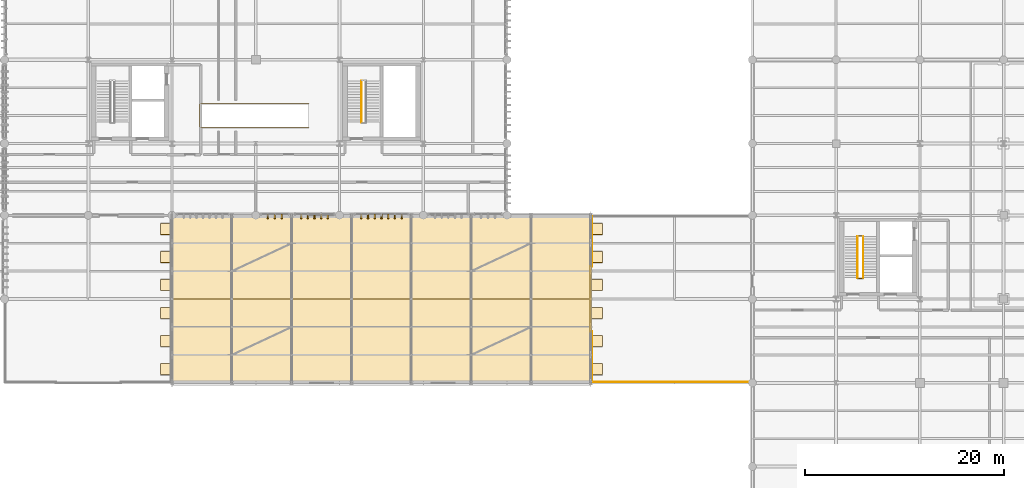
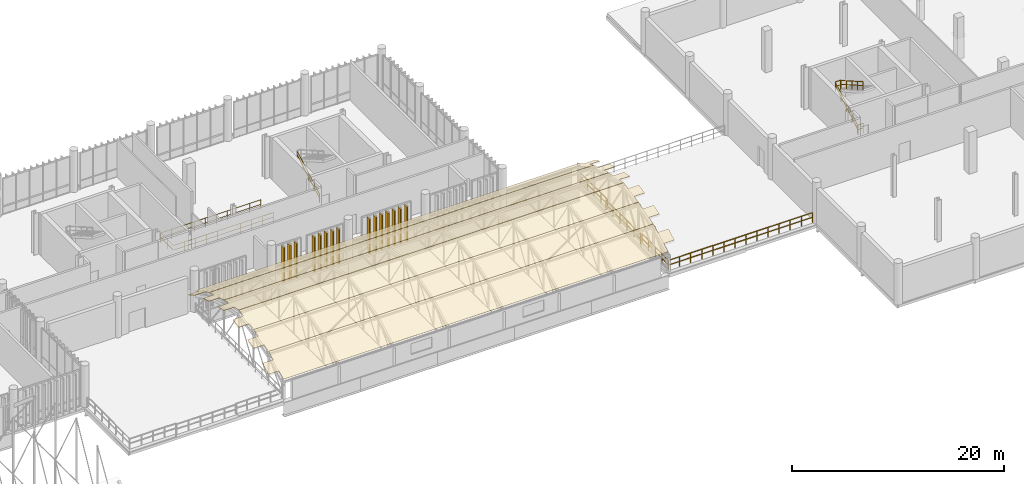
# One storey, part 103 of 109: 21 coverings, 10 railings, 1 element without a shape of its own.
"""IFC4 building model written with IfcOpenShell, lengths in metres."""

from ifc_helpers import new_model, si_unit, direction, frame, frame_2d, origin_with_axes, origin_2d_with_axis, place, context, subcontext, project, spatial, polyline, rectangle, circle, outline, extrude, material, type_object, element, aggregate, save


model = new_model("IFC4")

# Units and contexts
model_context = context("Model", 3, precision=1e-05, world=origin_with_axes(), true_north=direction((0.0, 1.0)))
body_context = subcontext(model_context, "Body", "Model", "MODEL_VIEW")
ifc_project = project(units=[si_unit("LENGTHUNIT", "METRE"), si_unit("AREAUNIT", "SQUARE_METRE"), si_unit("VOLUMEUNIT", "CUBIC_METRE"), si_unit("PLANEANGLEUNIT", "RADIAN"), si_unit("MASSUNIT", "GRAM", prefix="KILO"), si_unit("THERMODYNAMICTEMPERATUREUNIT", "KELVIN")], contexts=[model_context])

# Site, building, storey
site_placement = place(None, origin_with_axes())
site = spatial("IfcSite", under=ifc_project, at=site_placement, CompositionType="ELEMENT")
building_placement = place(site_placement, origin_with_axes())
building = spatial("IfcBuilding", under=site, at=building_placement, Name="Montbau Bow Law Courts", CompositionType="ELEMENT")
storey_placement = place(building_placement, frame((0.0, 0.0, 10.8), z_axis=(0.0, 0.0, 1.0), x_axis=(1.0, 0.0, 0.0)))
storey = spatial("IfcBuildingStorey", under=building, at=storey_placement, Name="L02", CompositionType="ELEMENT", Elevation=10.8)

# Coverings
ifc_material_1 = material(Name="Freeze-Thaw Glazed Warm Cream Ceramic Vertical Louvre", Category="masonry")
covering_type_1 = type_object("IfcCoveringType", Name="CV-LVR-CRM", PredefinedType="CLADDING", material=ifc_material_1)
for number, where, z_axis, x_axis, name in (
    (1, (73.212, 39.13, 10.8), (-1.0, 0.0, 0.0), (0.0, -1.0, 0.0), "CLV-L02-1424:cov_1469"),
    (2, (73.909, 39.13, 10.8), (-1.0, 0.0, 0.0), (0.0, -1.0, 0.0), "CLV-L02-1425:cov_1470"),
    (3, (74.606, 39.13, 10.8), (-1.0, 0.0, 0.0), (0.0, -1.0, 0.0), "CLV-L02-1426:cov_1471"),
    (4, (76.562, 39.13, 10.8), (-1.0, 0.0, 0.0), (0.0, -1.0, 0.0), "CLV-L02-1427:cov_1472"),
    (5, (77.226, 39.13, 10.8), (-1.0, 0.0, 0.0), (0.0, -1.0, 0.0), "CLV-L02-1428:cov_1473"),
    (6, (77.891, 39.13, 10.8), (-1.0, 0.0, 0.0), (0.0, -1.0, 0.0), "CLV-L02-1429:cov_1474"),
    (7, (78.556, 39.13, 10.8), (-1.0, 0.0, 0.0), (0.0, -1.0, 0.0), "CLV-L02-1430:cov_1475"),
    (8, (79.22, 39.13, 10.8), (-1.0, 0.0, 0.0), (0.0, -1.0, 0.0), "CLV-L02-1431:cov_1476"),
    (9, (82.573, 39.13, 10.8), (-1.0, 0.0, 0.0), (0.0, -1.0, 0.0), "CLV-L02-1432:cov_1477"),
    (10, (83.248, 39.13, 10.8), (-1.0, 0.0, 0.0), (0.0, -1.0, 0.0), "CLV-L02-1433:cov_1478"),
    (11, (83.924, 39.13, 10.8), (-1.0, 0.0, 0.0), (0.0, -1.0, 0.0), "CLV-L02-1434:cov_1479"),
    (12, (84.6, 39.13, 10.8), (-1.0, 0.0, 0.0), (0.0, -1.0, 0.0), "CLV-L02-1435:cov_1480"),
    (13, (85.276, 39.13, 10.8), (-1.0, 0.0, 0.0), (0.0, -1.0, 0.0), "CLV-L02-1436:cov_1481"),
    (14, (85.951, 39.13, 10.8), (-1.0, 0.0, 0.0), (0.0, -1.0, 0.0), "CLV-L02-1437:cov_1482"),
    (15, (86.627, 39.13, 10.8), (-1.0, 0.0, 0.0), (0.0, -1.0, 0.0), "CLV-L02-1438:cov_1483"),
):
    element("IfcCovering", number, at=place(None, frame(where, z_axis=z_axis, x_axis=x_axis)), inside=storey, type_object=covering_type_1, Name=name, PredefinedType="CLADDING", context=body_context, shape_type="SweptSolid", body=[
        extrude(rectangle(XDim=0.48, YDim=4.04, at=frame_2d((0.24, 2.02), x_axis=(1.0, 0.0))), frame((0.0, 0.0, -0.06), z_axis=(0.0, 0.0, 1.0), x_axis=(1.0, 0.0, 0.0)), (0.0, 0.0, 1.0), 0.12),
    ])

# Roof, coverings
ifc_material_2 = material(Name="Standing-Seam Zinc Insulated Barrel-Vault Roof", Category="steel")
roof_type = type_object("IfcRoofType", Name="RF-BV-01", PredefinedType="BARREL_ROOF", material=ifc_material_2)
roof_placement = place(None, frame((63.6, 22.2, 12.8), z_axis=(0.0, 0.0, 1.0), x_axis=(1.0, 0.0, 0.0)))
roof = element("IfcRoof", 16, at=roof_placement, inside=storey, type_object=roof_type, Name="BV-ROOF-V4:rof_0030", PredefinedType="BARREL_ROOF")
ifc_material_3 = material(Name="Standing-Seam Pre-Weathered Zinc Roofing Membrane", Category="steel")
covering_type_2 = type_object("IfcCoveringType", Name="CV-ROF-01", PredefinedType="ROOFING", material=ifc_material_3)
covering_1_placement = place(None, frame((0.0, 0.0, 1.028423), z_axis=(0.0, -0.473784701, 0.880640708), x_axis=(1.0, 0.0, 0.0)))
covering_1 = element("IfcCovering", 17, at=covering_1_placement, type_object=covering_type_2, Name="BV-CVR-V4-F1:cov_0034", PredefinedType="ROOFING", context=body_context, shape_type="SweptSolid", body=[
    extrude(outline(polyline([(63.6, 25.208919), (105.6, 25.208919), (105.6, 26.16277), (106.75, 26.16277), (106.75, 27.434571), (105.6, 27.434571), (105.6, 28.388422), (63.6, 28.388422), (63.6, 27.434571), (62.45, 27.434571), (62.45, 26.16277), (63.6, 26.16277), (63.6, 25.208919)])), origin_with_axes(), (0.0, 0.0, 1.0), 0.05),
])
covering_2_placement = place(None, frame((0.0, 0.0, 7.064456), z_axis=(0.0, -0.283827137, 0.958875464), x_axis=(1.0, 0.0, 0.0)))
covering_2 = element("IfcCovering", 18, at=covering_2_placement, type_object=covering_type_2, Name="BV-CVR-V4-F2:cov_0035", PredefinedType="ROOFING", context=body_context, shape_type="SweptSolid", body=[
    extrude(outline(polyline([(63.6, 26.072207), (105.6, 26.072207), (105.6, 26.948234), (106.75, 26.948234), (106.75, 28.116268), (105.6, 28.116268), (105.6, 28.992295), (63.6, 28.992295), (63.6, 28.116268), (62.45, 28.116268), (62.45, 26.948234), (63.6, 26.948234), (63.6, 26.072207)])), origin_with_axes(), (0.0, 0.0, 1.0), 0.05),
])
covering_3_placement = place(None, frame((0.0, 0.0, 9.869058), z_axis=(0.0, -0.191395051, 0.981513084), x_axis=(1.0, 0.0, 0.0)))
covering_3 = element("IfcCovering", 19, at=covering_3_placement, type_object=covering_type_2, Name="BV-CVR-V4-F3:cov_0036", PredefinedType="ROOFING", context=body_context, shape_type="SweptSolid", body=[
    extrude(outline(polyline([(63.6, 28.323616), (105.6, 28.323616), (105.6, 29.179438), (106.75, 29.179438), (106.75, 30.320533), (105.6, 30.320533), (105.6, 31.176355), (63.6, 31.176355), (63.6, 30.320533), (62.45, 30.320533), (62.45, 29.179438), (63.6, 29.179438), (63.6, 28.323616)])), origin_with_axes(), (0.0, 0.0, 1.0), 0.05),
])
covering_4_placement = place(None, frame((0.0, 0.0, 21.803058), z_axis=(0.0, 0.191395051, 0.981513084), x_axis=(1.0, 0.0, 0.0)))
covering_4 = element("IfcCovering", 20, at=covering_4_placement, type_object=covering_type_2, Name="BV-CVR-V4-F4:cov_0037", PredefinedType="ROOFING", context=body_context, shape_type="SweptSolid", body=[
    extrude(outline(polyline([(63.6, 31.176355), (105.6, 31.176355), (105.6, 32.032176), (106.75, 32.032176), (106.75, 33.173271), (105.6, 33.173271), (105.6, 34.029093), (63.6, 34.029093), (63.6, 33.173271), (62.45, 33.173271), (62.45, 32.032176), (63.6, 32.032176), (63.6, 31.176355)])), origin_with_axes(), (0.0, 0.0, 1.0), 0.05),
])
covering_5_placement = place(None, frame((0.0, 0.0, 25.179656), z_axis=(0.0, 0.283827137, 0.958875464), x_axis=(1.0, 0.0, 0.0)))
covering_5 = element("IfcCovering", 21, at=covering_5_placement, type_object=covering_type_2, Name="BV-CVR-V4-F5:cov_0038", PredefinedType="ROOFING", context=body_context, shape_type="SweptSolid", body=[
    extrude(outline(polyline([(63.6, 34.832469), (105.6, 34.832469), (105.6, 35.708495), (106.75, 35.708495), (106.75, 36.87653), (105.6, 36.87653), (105.6, 37.752556), (63.6, 37.752556), (63.6, 36.87653), (62.45, 36.87653), (62.45, 35.708495), (63.6, 35.708495), (63.6, 34.832469)])), origin_with_axes(), (0.0, 0.0, 1.0), 0.05),
])
covering_6_placement = place(None, frame((0.0, 0.0, 33.954023), z_axis=(0.0, 0.473784701, 0.880640708), x_axis=(1.0, 0.0, 0.0)))
covering_6 = element("IfcCovering", 22, at=covering_6_placement, type_object=covering_type_2, Name="BV-CVR-V4-F6:cov_0039", PredefinedType="ROOFING", context=body_context, shape_type="SweptSolid", body=[
    extrude(outline(polyline([(63.6, 41.106435), (105.6, 41.106435), (105.6, 42.060286), (106.75, 42.060286), (106.75, 43.332087), (105.6, 43.332087), (105.6, 44.285938), (63.6, 44.285938), (63.6, 43.332087), (62.45, 43.332087), (62.45, 42.060286), (63.6, 42.060286), (63.6, 41.106435)])), origin_with_axes(), (0.0, 0.0, 1.0), 0.05),
])
aggregate(roof, [covering_1, covering_2, covering_3, covering_4, covering_5, covering_6])

# Railings
ifc_material_4 = material(Name="Laminated Glass and Bronze Gallery Balustrade", Category="glass")
railing_type_1 = type_object("IfcRailingType", Name="RL-BAL-1120", PredefinedType="BALUSTRADE", material=ifc_material_4)
railing_1_placement = place(None, origin_with_axes())
element("IfcRailing", 23, at=railing_1_placement, inside=storey, type_object=railing_type_1, Name="GRD-OPEN-ST-TRL-02:rlg_0286", PredefinedType="BALUSTRADE", context=body_context, shape_type="SweptSolid", body=[
    extrude(circle(Radius=0.025, at=origin_2d_with_axis()), frame((77.3, 47.8, 11.922), z_axis=(-1.0, 0.0, 0.0), x_axis=(0.0, 0.0, 1.0)), (0.0, 0.0, 1.0), 10.8675),
    extrude(circle(Radius=0.022500000000000003, at=origin_2d_with_axis()), frame((77.3, 47.8, 11.3824), z_axis=(-1.0, 0.0, 0.0), x_axis=(0.0, 0.0, 1.0)), (0.0, 0.0, 1.0), 10.8675),
    extrude(circle(Radius=0.022500000000000003, at=origin_2d_with_axis()), frame((77.3, 47.8, 10.8), z_axis=(0.0, 0.0, 1.0), x_axis=(1.0, 0.0, 0.0)), (0.0, 0.0, 1.0), 1.0925),
    extrude(circle(Radius=0.022500000000000003, at=origin_2d_with_axis()), frame((76.088889, 47.8, 10.8), z_axis=(0.0, 0.0, 1.0), x_axis=(1.0, 0.0, 0.0)), (0.0, 0.0, 1.0), 1.0925),
    extrude(circle(Radius=0.022500000000000003, at=origin_2d_with_axis()), frame((74.877778, 47.8, 10.8), z_axis=(0.0, 0.0, 1.0), x_axis=(1.0, 0.0, 0.0)), (0.0, 0.0, 1.0), 1.0925),
    extrude(circle(Radius=0.022500000000000003, at=origin_2d_with_axis()), frame((73.666667, 47.8, 10.8), z_axis=(0.0, 0.0, 1.0), x_axis=(1.0, 0.0, 0.0)), (0.0, 0.0, 1.0), 1.0925),
    extrude(circle(Radius=0.022500000000000003, at=origin_2d_with_axis()), frame((72.455556, 47.8, 10.8), z_axis=(0.0, 0.0, 1.0), x_axis=(1.0, 0.0, 0.0)), (0.0, 0.0, 1.0), 1.0925),
    extrude(circle(Radius=0.022500000000000003, at=origin_2d_with_axis()), frame((71.244444, 47.8, 10.8), z_axis=(0.0, 0.0, 1.0), x_axis=(1.0, 0.0, 0.0)), (0.0, 0.0, 1.0), 1.0925),
    extrude(circle(Radius=0.022500000000000003, at=origin_2d_with_axis()), frame((70.033333, 47.8, 10.8), z_axis=(0.0, 0.0, 1.0), x_axis=(1.0, 0.0, 0.0)), (0.0, 0.0, 1.0), 1.0925),
    extrude(circle(Radius=0.022500000000000003, at=origin_2d_with_axis()), frame((68.822222, 47.8, 10.8), z_axis=(0.0, 0.0, 1.0), x_axis=(1.0, 0.0, 0.0)), (0.0, 0.0, 1.0), 1.0925),
    extrude(circle(Radius=0.022500000000000003, at=origin_2d_with_axis()), frame((67.611111, 47.8, 10.8), z_axis=(0.0, 0.0, 1.0), x_axis=(1.0, 0.0, 0.0)), (0.0, 0.0, 1.0), 1.0925),
    extrude(circle(Radius=0.022500000000000003, at=origin_2d_with_axis()), frame((66.4, 47.8, 10.8), z_axis=(0.0, 0.0, 1.0), x_axis=(1.0, 0.0, 0.0)), (0.0, 0.0, 1.0), 1.0925),
    extrude(circle(Radius=0.025, at=origin_2d_with_axis()), frame((66.4, 47.8325, 11.922), z_axis=(0.0, 1.0, 0.0), x_axis=(0.0, 0.0, 1.0)), (0.0, 0.0, 1.0), 2.335),
    extrude(circle(Radius=0.022500000000000003, at=origin_2d_with_axis()), frame((66.4, 47.8325, 11.3824), z_axis=(0.0, 1.0, 0.0), x_axis=(0.0, 0.0, 1.0)), (0.0, 0.0, 1.0), 2.335),
    extrude(circle(Radius=0.022500000000000003, at=origin_2d_with_axis()), frame((66.4, 49.0, 10.8), z_axis=(0.0, 0.0, 1.0), x_axis=(1.0, 0.0, 0.0)), (0.0, 0.0, 1.0), 1.0925),
    extrude(circle(Radius=0.022500000000000003, at=origin_2d_with_axis()), frame((66.4, 50.2, 10.8), z_axis=(0.0, 0.0, 1.0), x_axis=(1.0, 0.0, 0.0)), (0.0, 0.0, 1.0), 1.0925),
    extrude(circle(Radius=0.025, at=origin_2d_with_axis()), frame((66.4325, 50.2, 11.922), z_axis=(1.0, 0.0, 0.0), x_axis=(0.0, 0.0, 1.0)), (0.0, 0.0, 1.0), 10.8675),
    extrude(circle(Radius=0.022500000000000003, at=origin_2d_with_axis()), frame((66.4325, 50.2, 11.3824), z_axis=(1.0, 0.0, 0.0), x_axis=(0.0, 0.0, 1.0)), (0.0, 0.0, 1.0), 10.8675),
    extrude(circle(Radius=0.022500000000000003, at=origin_2d_with_axis()), frame((67.611111, 50.2, 10.8), z_axis=(0.0, 0.0, 1.0), x_axis=(1.0, 0.0, 0.0)), (0.0, 0.0, 1.0), 1.0925),
    extrude(circle(Radius=0.022500000000000003, at=origin_2d_with_axis()), frame((68.822222, 50.2, 10.8), z_axis=(0.0, 0.0, 1.0), x_axis=(1.0, 0.0, 0.0)), (0.0, 0.0, 1.0), 1.0925),
    extrude(circle(Radius=0.022500000000000003, at=origin_2d_with_axis()), frame((70.033333, 50.2, 10.8), z_axis=(0.0, 0.0, 1.0), x_axis=(1.0, 0.0, 0.0)), (0.0, 0.0, 1.0), 1.0925),
    extrude(circle(Radius=0.022500000000000003, at=origin_2d_with_axis()), frame((71.244444, 50.2, 10.8), z_axis=(0.0, 0.0, 1.0), x_axis=(1.0, 0.0, 0.0)), (0.0, 0.0, 1.0), 1.0925),
    extrude(circle(Radius=0.022500000000000003, at=origin_2d_with_axis()), frame((72.455556, 50.2, 10.8), z_axis=(0.0, 0.0, 1.0), x_axis=(1.0, 0.0, 0.0)), (0.0, 0.0, 1.0), 1.0925),
    extrude(circle(Radius=0.022500000000000003, at=origin_2d_with_axis()), frame((73.666667, 50.2, 10.8), z_axis=(0.0, 0.0, 1.0), x_axis=(1.0, 0.0, 0.0)), (0.0, 0.0, 1.0), 1.0925),
    extrude(circle(Radius=0.022500000000000003, at=origin_2d_with_axis()), frame((74.877778, 50.2, 10.8), z_axis=(0.0, 0.0, 1.0), x_axis=(1.0, 0.0, 0.0)), (0.0, 0.0, 1.0), 1.0925),
    extrude(circle(Radius=0.022500000000000003, at=origin_2d_with_axis()), frame((76.088889, 50.2, 10.8), z_axis=(0.0, 0.0, 1.0), x_axis=(1.0, 0.0, 0.0)), (0.0, 0.0, 1.0), 1.0925),
    extrude(circle(Radius=0.022500000000000003, at=origin_2d_with_axis()), frame((77.3, 50.2, 10.8), z_axis=(0.0, 0.0, 1.0), x_axis=(1.0, 0.0, 0.0)), (0.0, 0.0, 1.0), 1.0925),
])
ifc_material_5 = material(Name="Architectural Bronze-Finished Steel Stair Guard", Category="steel")
railing_type_2 = type_object("IfcRailingType", Name="RL-GRD-1100", PredefinedType="GUARDRAIL", material=ifc_material_5)
railing_2_placement = place(None, origin_with_axes())
element("IfcRailing", 24, at=railing_2_placement, inside=storey, type_object=railing_type_2, Name="SG-ST-C1-L02-ML:rlg_0259", PredefinedType="GUARDRAIL", context=body_context, shape_type="SweptSolid", body=[
    extrude(circle(Radius=0.0225, at=origin_2d_with_axis()), frame((132.33, 36.93, 14.302), z_axis=(1.0, 0.0, 0.0), x_axis=(0.0, 0.0, 1.0)), (0.0, 0.0, 1.0), 0.59),
    extrude(circle(Radius=0.02025, at=origin_2d_with_axis()), frame((132.33, 36.93, 13.772), z_axis=(1.0, 0.0, 0.0), x_axis=(0.0, 0.0, 1.0)), (0.0, 0.0, 1.0), 0.59),
    extrude(circle(Radius=0.02025, at=origin_2d_with_axis()), frame((132.33, 36.93, 13.2), z_axis=(0.0, 0.0, 1.0), x_axis=(1.0, 0.0, 0.0)), (0.0, 0.0, 1.0), 1.07525),
    extrude(circle(Radius=0.02025, at=origin_2d_with_axis()), frame((132.92, 36.93, 13.2), z_axis=(0.0, 0.0, 1.0), x_axis=(1.0, 0.0, 0.0)), (0.0, 0.0, 1.0), 1.07525),
])
railing_3_placement = place(None, origin_with_axes())
element("IfcRailing", 25, at=railing_3_placement, inside=storey, type_object=railing_type_2, Name="SG-ST-C1-L02-BL:rlg_0260", PredefinedType="GUARDRAIL", context=body_context, shape_type="SweptSolid", body=[
    extrude(circle(Radius=0.0225, at=origin_2d_with_axis()), frame((132.33, 32.67, 11.902), z_axis=(1.0, 0.0, 0.0), x_axis=(0.0, 0.0, 1.0)), (0.0, 0.0, 1.0), 0.59),
    extrude(circle(Radius=0.02025, at=origin_2d_with_axis()), frame((132.33, 32.67, 11.372), z_axis=(1.0, 0.0, 0.0), x_axis=(0.0, 0.0, 1.0)), (0.0, 0.0, 1.0), 0.59),
    extrude(circle(Radius=0.02025, at=origin_2d_with_axis()), frame((132.33, 32.67, 10.8), z_axis=(0.0, 0.0, 1.0), x_axis=(1.0, 0.0, 0.0)), (0.0, 0.0, 1.0), 1.07525),
    extrude(circle(Radius=0.02025, at=origin_2d_with_axis()), frame((132.92, 32.67, 10.8), z_axis=(0.0, 0.0, 1.0), x_axis=(1.0, 0.0, 0.0)), (0.0, 0.0, 1.0), 1.07525),
])
ifc_material_6 = material(Name="Brushed Stainless Steel AISI 316L Guardrail", Category="steel")
railing_type_3 = type_object("IfcRailingType", Name="RL-GRD-1120", PredefinedType="GUARDRAIL", material=ifc_material_6)
railing_4_placement = place(None, origin_with_axes())
element("IfcRailing", 26, at=railing_4_placement, inside=storey, type_object=railing_type_3, Name="GRD-TER-L02-E-1:rlg_0006", PredefinedType="GUARDRAIL", context=body_context, shape_type="SweptSolid", body=[
    extrude(circle(Radius=0.025, at=origin_2d_with_axis()), frame((105.7, 22.3, 11.922), z_axis=(0.0, 1.0, 0.0), x_axis=(0.0, 0.0, 1.0)), (0.0, 0.0, 1.0), 5.04),
    extrude(circle(Radius=0.022500000000000003, at=origin_2d_with_axis()), frame((105.7, 22.3, 11.3824), z_axis=(0.0, 1.0, 0.0), x_axis=(0.0, 0.0, 1.0)), (0.0, 0.0, 1.0), 5.04),
    extrude(circle(Radius=0.022500000000000003, at=origin_2d_with_axis()), frame((105.7, 22.3, 10.8), z_axis=(0.0, 0.0, 1.0), x_axis=(1.0, 0.0, 0.0)), (0.0, 0.0, 1.0), 1.0925),
    extrude(circle(Radius=0.022500000000000003, at=origin_2d_with_axis()), frame((105.7, 23.56, 10.8), z_axis=(0.0, 0.0, 1.0), x_axis=(1.0, 0.0, 0.0)), (0.0, 0.0, 1.0), 1.0925),
    extrude(circle(Radius=0.022500000000000003, at=origin_2d_with_axis()), frame((105.7, 24.82, 10.8), z_axis=(0.0, 0.0, 1.0), x_axis=(1.0, 0.0, 0.0)), (0.0, 0.0, 1.0), 1.0925),
    extrude(circle(Radius=0.022500000000000003, at=origin_2d_with_axis()), frame((105.7, 26.08, 10.8), z_axis=(0.0, 0.0, 1.0), x_axis=(1.0, 0.0, 0.0)), (0.0, 0.0, 1.0), 1.0925),
    extrude(circle(Radius=0.022500000000000003, at=origin_2d_with_axis()), frame((105.7, 27.34, 10.8), z_axis=(0.0, 0.0, 1.0), x_axis=(1.0, 0.0, 0.0)), (0.0, 0.0, 1.0), 1.0925),
])
railing_5_placement = place(None, origin_with_axes())
element("IfcRailing", 27, at=railing_5_placement, inside=storey, type_object=railing_type_3, Name="GRD-TER-L02-E-3:rlg_0007", PredefinedType="GUARDRAIL", context=body_context, shape_type="SweptSolid", body=[
    extrude(circle(Radius=0.025, at=origin_2d_with_axis()), frame((105.56, 27.34, 11.922), z_axis=(0.0, 1.0, 0.0), x_axis=(0.0, 0.0, 1.0)), (0.0, 0.0, 1.0), 6.52),
    extrude(circle(Radius=0.022500000000000003, at=origin_2d_with_axis()), frame((105.56, 27.34, 11.3824), z_axis=(0.0, 1.0, 0.0), x_axis=(0.0, 0.0, 1.0)), (0.0, 0.0, 1.0), 6.52),
    extrude(circle(Radius=0.022500000000000003, at=origin_2d_with_axis()), frame((105.56, 27.34, 10.8), z_axis=(0.0, 0.0, 1.0), x_axis=(1.0, 0.0, 0.0)), (0.0, 0.0, 1.0), 1.0925),
    extrude(circle(Radius=0.022500000000000003, at=origin_2d_with_axis()), frame((105.56, 28.644, 10.8), z_axis=(0.0, 0.0, 1.0), x_axis=(1.0, 0.0, 0.0)), (0.0, 0.0, 1.0), 1.0925),
    extrude(circle(Radius=0.022500000000000003, at=origin_2d_with_axis()), frame((105.56, 29.948, 10.8), z_axis=(0.0, 0.0, 1.0), x_axis=(1.0, 0.0, 0.0)), (0.0, 0.0, 1.0), 1.0925),
    extrude(circle(Radius=0.022500000000000003, at=origin_2d_with_axis()), frame((105.56, 31.252, 10.8), z_axis=(0.0, 0.0, 1.0), x_axis=(1.0, 0.0, 0.0)), (0.0, 0.0, 1.0), 1.0925),
    extrude(circle(Radius=0.022500000000000003, at=origin_2d_with_axis()), frame((105.56, 32.556, 10.8), z_axis=(0.0, 0.0, 1.0), x_axis=(1.0, 0.0, 0.0)), (0.0, 0.0, 1.0), 1.0925),
    extrude(circle(Radius=0.022500000000000003, at=origin_2d_with_axis()), frame((105.56, 33.86, 10.8), z_axis=(0.0, 0.0, 1.0), x_axis=(1.0, 0.0, 0.0)), (0.0, 0.0, 1.0), 1.0925),
])
railing_6_placement = place(None, origin_with_axes())
element("IfcRailing", 28, at=railing_6_placement, inside=storey, type_object=railing_type_3, Name="GRD-TER-L02-E-5:rlg_0008", PredefinedType="GUARDRAIL", context=body_context, shape_type="SweptSolid", body=[
    extrude(circle(Radius=0.025, at=origin_2d_with_axis()), frame((105.7, 33.86, 11.922), z_axis=(0.0, 1.0, 0.0), x_axis=(0.0, 0.0, 1.0)), (0.0, 0.0, 1.0), 5.04),
    extrude(circle(Radius=0.022500000000000003, at=origin_2d_with_axis()), frame((105.7, 33.86, 11.3824), z_axis=(0.0, 1.0, 0.0), x_axis=(0.0, 0.0, 1.0)), (0.0, 0.0, 1.0), 5.04),
    extrude(circle(Radius=0.022500000000000003, at=origin_2d_with_axis()), frame((105.7, 33.86, 10.8), z_axis=(0.0, 0.0, 1.0), x_axis=(1.0, 0.0, 0.0)), (0.0, 0.0, 1.0), 1.0925),
    extrude(circle(Radius=0.022500000000000003, at=origin_2d_with_axis()), frame((105.7, 35.12, 10.8), z_axis=(0.0, 0.0, 1.0), x_axis=(1.0, 0.0, 0.0)), (0.0, 0.0, 1.0), 1.0925),
    extrude(circle(Radius=0.022500000000000003, at=origin_2d_with_axis()), frame((105.7, 36.38, 10.8), z_axis=(0.0, 0.0, 1.0), x_axis=(1.0, 0.0, 0.0)), (0.0, 0.0, 1.0), 1.0925),
    extrude(circle(Radius=0.022500000000000003, at=origin_2d_with_axis()), frame((105.7, 37.64, 10.8), z_axis=(0.0, 0.0, 1.0), x_axis=(1.0, 0.0, 0.0)), (0.0, 0.0, 1.0), 1.0925),
    extrude(circle(Radius=0.022500000000000003, at=origin_2d_with_axis()), frame((105.7, 38.9, 10.8), z_axis=(0.0, 0.0, 1.0), x_axis=(1.0, 0.0, 0.0)), (0.0, 0.0, 1.0), 1.0925),
])
railing_7_placement = place(None, origin_with_axes())
element("IfcRailing", 29, at=railing_7_placement, inside=storey, type_object=railing_type_3, Name="GRD-TER-L02-E-8:rlg_0010", PredefinedType="GUARDRAIL", context=body_context, shape_type="SweptSolid", body=[
    extrude(circle(Radius=0.025, at=origin_2d_with_axis()), frame((121.38, 22.3, 11.922), z_axis=(-1.0, 0.0, 0.0), x_axis=(0.0, 0.0, 1.0)), (0.0, 0.0, 1.0), 15.68),
    extrude(circle(Radius=0.022500000000000003, at=origin_2d_with_axis()), frame((121.38, 22.3, 11.3824), z_axis=(-1.0, 0.0, 0.0), x_axis=(0.0, 0.0, 1.0)), (0.0, 0.0, 1.0), 15.68),
    extrude(circle(Radius=0.022500000000000003, at=origin_2d_with_axis()), frame((121.38, 22.3, 10.8), z_axis=(0.0, 0.0, 1.0), x_axis=(1.0, 0.0, 0.0)), (0.0, 0.0, 1.0), 1.0925),
    extrude(circle(Radius=0.022500000000000003, at=origin_2d_with_axis()), frame((120.173846, 22.3, 10.8), z_axis=(0.0, 0.0, 1.0), x_axis=(1.0, 0.0, 0.0)), (0.0, 0.0, 1.0), 1.0925),
    extrude(circle(Radius=0.022500000000000003, at=origin_2d_with_axis()), frame((118.967692, 22.3, 10.8), z_axis=(0.0, 0.0, 1.0), x_axis=(1.0, 0.0, 0.0)), (0.0, 0.0, 1.0), 1.0925),
    extrude(circle(Radius=0.022500000000000003, at=origin_2d_with_axis()), frame((117.761538, 22.3, 10.8), z_axis=(0.0, 0.0, 1.0), x_axis=(1.0, 0.0, 0.0)), (0.0, 0.0, 1.0), 1.0925),
    extrude(circle(Radius=0.022500000000000003, at=origin_2d_with_axis()), frame((116.555385, 22.3, 10.8), z_axis=(0.0, 0.0, 1.0), x_axis=(1.0, 0.0, 0.0)), (0.0, 0.0, 1.0), 1.0925),
    extrude(circle(Radius=0.022500000000000003, at=origin_2d_with_axis()), frame((115.349231, 22.3, 10.8), z_axis=(0.0, 0.0, 1.0), x_axis=(1.0, 0.0, 0.0)), (0.0, 0.0, 1.0), 1.0925),
    extrude(circle(Radius=0.022500000000000003, at=origin_2d_with_axis()), frame((114.143077, 22.3, 10.8), z_axis=(0.0, 0.0, 1.0), x_axis=(1.0, 0.0, 0.0)), (0.0, 0.0, 1.0), 1.0925),
    extrude(circle(Radius=0.022500000000000003, at=origin_2d_with_axis()), frame((112.936923, 22.3, 10.8), z_axis=(0.0, 0.0, 1.0), x_axis=(1.0, 0.0, 0.0)), (0.0, 0.0, 1.0), 1.0925),
    extrude(circle(Radius=0.022500000000000003, at=origin_2d_with_axis()), frame((111.730769, 22.3, 10.8), z_axis=(0.0, 0.0, 1.0), x_axis=(1.0, 0.0, 0.0)), (0.0, 0.0, 1.0), 1.0925),
    extrude(circle(Radius=0.022500000000000003, at=origin_2d_with_axis()), frame((110.524615, 22.3, 10.8), z_axis=(0.0, 0.0, 1.0), x_axis=(1.0, 0.0, 0.0)), (0.0, 0.0, 1.0), 1.0925),
    extrude(circle(Radius=0.022500000000000003, at=origin_2d_with_axis()), frame((109.318462, 22.3, 10.8), z_axis=(0.0, 0.0, 1.0), x_axis=(1.0, 0.0, 0.0)), (0.0, 0.0, 1.0), 1.0925),
    extrude(circle(Radius=0.022500000000000003, at=origin_2d_with_axis()), frame((108.112308, 22.3, 10.8), z_axis=(0.0, 0.0, 1.0), x_axis=(1.0, 0.0, 0.0)), (0.0, 0.0, 1.0), 1.0925),
    extrude(circle(Radius=0.022500000000000003, at=origin_2d_with_axis()), frame((106.906154, 22.3, 10.8), z_axis=(0.0, 0.0, 1.0), x_axis=(1.0, 0.0, 0.0)), (0.0, 0.0, 1.0), 1.0925),
    extrude(circle(Radius=0.022500000000000003, at=origin_2d_with_axis()), frame((105.7, 22.3, 10.8), z_axis=(0.0, 0.0, 1.0), x_axis=(1.0, 0.0, 0.0)), (0.0, 0.0, 1.0), 1.0925),
])
ifc_material_7 = material(Name="White-Oak and Stainless Continuous Stair Handrail", Category="steel")
railing_type_4 = type_object("IfcRailingType", Name="RL-HND-0920", PredefinedType="HANDRAIL", material=ifc_material_7)
railing_8_placement = place(None, origin_with_axes())
element("IfcRailing", 30, at=railing_8_placement, inside=storey, type_object=railing_type_4, Name="HR-ST-P3-L02-1:rlg_0142", PredefinedType="HANDRAIL", context=body_context, shape_type="SweptSolid", body=[
    extrude(circle(Radius=0.021, at=origin_2d_with_axis()), frame((82.61, 48.3, 11.882), z_axis=(0.0, 0.868243142, 0.496138938), x_axis=(0.0, -0.496138938, 0.868243142)), (0.0, 0.0, 1.0), 4.837355),
    extrude(circle(Radius=0.0189, at=origin_2d_with_axis()), frame((82.61, 48.3, 11.4384), z_axis=(0.0, 0.868243142, 0.496138938), x_axis=(0.0, -0.496138938, 0.868243142)), (0.0, 0.0, 1.0), 4.837355),
    extrude(circle(Radius=0.0189, at=origin_2d_with_axis()), frame((82.61, 48.3, 10.96), z_axis=(0.0, 0.0, 1.0), x_axis=(1.0, 0.0, 0.0)), (0.0, 0.0, 1.0), 0.8969),
    extrude(circle(Radius=0.0189, at=origin_2d_with_axis()), frame((82.61, 49.35, 11.56), z_axis=(0.0, 0.0, 1.0), x_axis=(1.0, 0.0, 0.0)), (0.0, 0.0, 1.0), 0.8969),
    extrude(circle(Radius=0.0189, at=origin_2d_with_axis()), frame((82.61, 50.4, 12.16), z_axis=(0.0, 0.0, 1.0), x_axis=(1.0, 0.0, 0.0)), (0.0, 0.0, 1.0), 0.8969),
    extrude(circle(Radius=0.0189, at=origin_2d_with_axis()), frame((82.61, 51.45, 12.76), z_axis=(0.0, 0.0, 1.0), x_axis=(1.0, 0.0, 0.0)), (0.0, 0.0, 1.0), 0.8969),
    extrude(circle(Radius=0.0189, at=origin_2d_with_axis()), frame((82.61, 52.5, 13.36), z_axis=(0.0, 0.0, 1.0), x_axis=(1.0, 0.0, 0.0)), (0.0, 0.0, 1.0), 0.8969),
])
railing_9_placement = place(None, origin_with_axes())
element("IfcRailing", 31, at=railing_9_placement, inside=storey, type_object=railing_type_4, Name="HR-ST-C1-L02-1:rlg_0261", PredefinedType="HANDRAIL", context=body_context, shape_type="SweptSolid", body=[
    extrude(circle(Radius=0.021, at=origin_2d_with_axis()), frame((132.33, 32.7, 11.882), z_axis=(0.0, 0.868243142, 0.496138938), x_axis=(0.0, -0.496138938, 0.868243142)), (0.0, 0.0, 1.0), 4.837355),
    extrude(circle(Radius=0.0189, at=origin_2d_with_axis()), frame((132.33, 32.7, 11.4384), z_axis=(0.0, 0.868243142, 0.496138938), x_axis=(0.0, -0.496138938, 0.868243142)), (0.0, 0.0, 1.0), 4.837355),
    extrude(circle(Radius=0.0189, at=origin_2d_with_axis()), frame((132.33, 32.7, 10.96), z_axis=(0.0, 0.0, 1.0), x_axis=(1.0, 0.0, 0.0)), (0.0, 0.0, 1.0), 0.8969),
    extrude(circle(Radius=0.0189, at=origin_2d_with_axis()), frame((132.33, 33.75, 11.56), z_axis=(0.0, 0.0, 1.0), x_axis=(1.0, 0.0, 0.0)), (0.0, 0.0, 1.0), 0.8969),
    extrude(circle(Radius=0.0189, at=origin_2d_with_axis()), frame((132.33, 34.8, 12.16), z_axis=(0.0, 0.0, 1.0), x_axis=(1.0, 0.0, 0.0)), (0.0, 0.0, 1.0), 0.8969),
    extrude(circle(Radius=0.0189, at=origin_2d_with_axis()), frame((132.33, 35.85, 12.76), z_axis=(0.0, 0.0, 1.0), x_axis=(1.0, 0.0, 0.0)), (0.0, 0.0, 1.0), 0.8969),
    extrude(circle(Radius=0.0189, at=origin_2d_with_axis()), frame((132.33, 36.9, 13.36), z_axis=(0.0, 0.0, 1.0), x_axis=(1.0, 0.0, 0.0)), (0.0, 0.0, 1.0), 0.8969),
])
railing_10_placement = place(None, origin_with_axes())
element("IfcRailing", 32, at=railing_10_placement, inside=storey, type_object=railing_type_4, Name="HR-ST-C1-L02-2:rlg_0262", PredefinedType="HANDRAIL", context=body_context, shape_type="SweptSolid", body=[
    extrude(circle(Radius=0.021, at=origin_2d_with_axis()), frame((132.92, 36.9, 14.282), z_axis=(0.0, -0.868243142, 0.496138938), x_axis=(0.0, 0.496138938, 0.868243142)), (0.0, 0.0, 1.0), 4.837355),
    extrude(circle(Radius=0.0189, at=origin_2d_with_axis()), frame((132.92, 36.9, 13.8384), z_axis=(0.0, -0.868243142, 0.496138938), x_axis=(0.0, 0.496138938, 0.868243142)), (0.0, 0.0, 1.0), 4.837355),
    extrude(circle(Radius=0.0189, at=origin_2d_with_axis()), frame((132.92, 36.9, 13.36), z_axis=(0.0, 0.0, 1.0), x_axis=(1.0, 0.0, 0.0)), (0.0, 0.0, 1.0), 0.8969),
    extrude(circle(Radius=0.0189, at=origin_2d_with_axis()), frame((132.92, 35.85, 13.96), z_axis=(0.0, 0.0, 1.0), x_axis=(1.0, 0.0, 0.0)), (0.0, 0.0, 1.0), 0.8969),
    extrude(circle(Radius=0.0189, at=origin_2d_with_axis()), frame((132.92, 34.8, 14.56), z_axis=(0.0, 0.0, 1.0), x_axis=(1.0, 0.0, 0.0)), (0.0, 0.0, 1.0), 0.8969),
    extrude(circle(Radius=0.0189, at=origin_2d_with_axis()), frame((132.92, 33.75, 15.16), z_axis=(0.0, 0.0, 1.0), x_axis=(1.0, 0.0, 0.0)), (0.0, 0.0, 1.0), 0.8969),
    extrude(circle(Radius=0.0189, at=origin_2d_with_axis()), frame((132.92, 32.7, 15.76), z_axis=(0.0, 0.0, 1.0), x_axis=(1.0, 0.0, 0.0)), (0.0, 0.0, 1.0), 0.8969),
])

save(model, "model.ifc")
